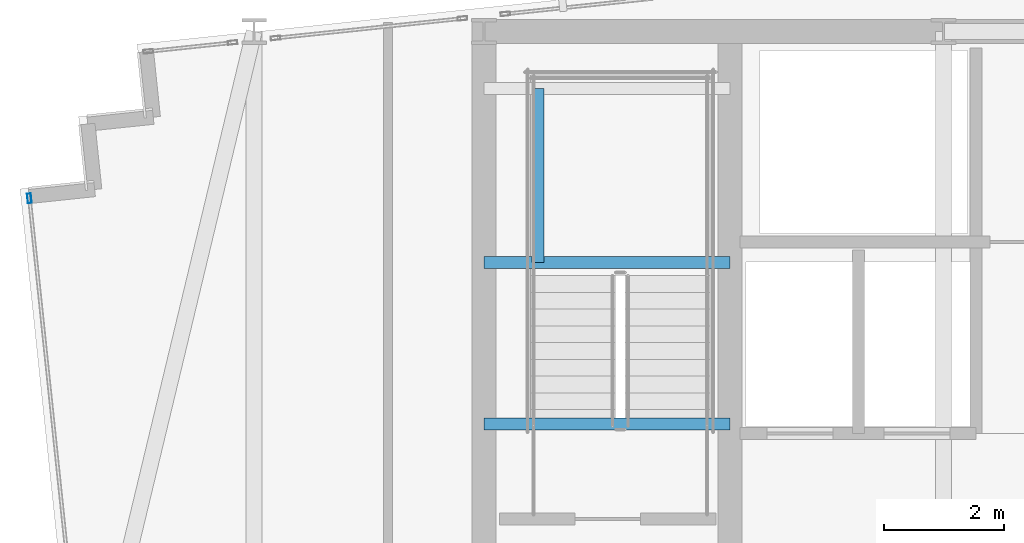
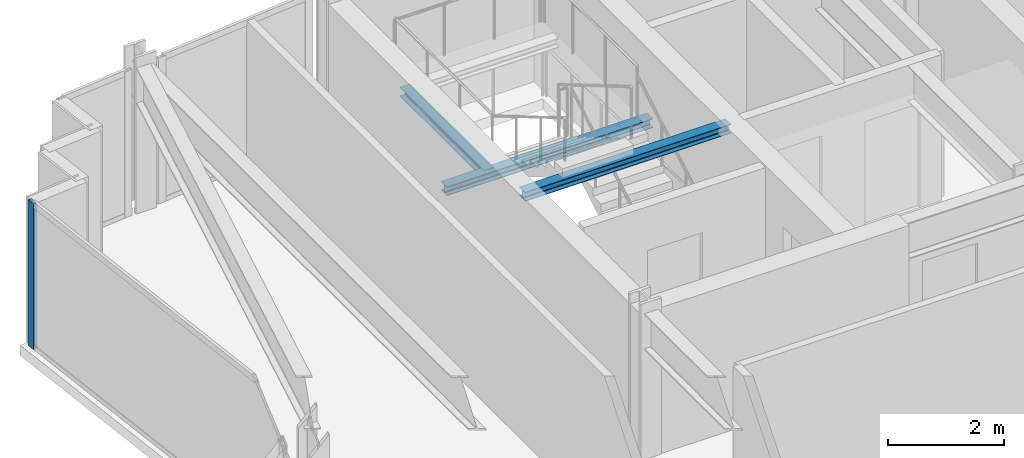
# One storey, part 12 of 33: 3 beams, 1 member, 1 element without a shape of its own.
"""IFC4 building model written with IfcOpenShell, lengths in metres."""

from ifc_helpers import new_model, si_unit, direction, frame, origin, origin_2d, place, context, subcontext, project, spatial, hollow_rectangle, i_section, extrude, material, material_profile, profile_set, type_object, element, aggregate, save


model = new_model("IFC4")

# Units and contexts
model_context = context("Model", 3, precision=1e-05, world=origin(), true_north=direction((0.0, 1.0)))
body_context = subcontext(model_context, "Body", "Model", "MODEL_VIEW")
ifc_project = project(units=[si_unit("LENGTHUNIT", "METRE"), si_unit("AREAUNIT", "SQUARE_METRE"), si_unit("VOLUMEUNIT", "CUBIC_METRE"), si_unit("PLANEANGLEUNIT", "RADIAN"), si_unit("MASSUNIT", "GRAM", prefix="KILO")], contexts=[model_context])

# Site, building, storey
site_placement = place(None, origin())
site = spatial("IfcSite", under=ifc_project, at=site_placement, CompositionType="ELEMENT")
building_placement = place(site_placement, origin())
building = spatial("IfcBuilding", under=site, at=building_placement, Name="Yelkora Congress Tower", CompositionType="ELEMENT")
storey_placement = place(building_placement, frame((0.0, 0.0, 221.0)))
storey = spatial("IfcBuildingStorey", under=building, at=storey_placement, Name="L61", CompositionType="ELEMENT", Elevation=221.0)

# Beams
ifc_material_1 = material(Name="Steel S355J2", Category="steel")
ifc_material_profile_1 = material_profile(ifc_material_1, i_section(OverallWidth=0.199951171875, OverallDepth=0.18994140625, WebThickness=0.006591796875, FlangeThickness=0.010009765625, FilletRadius=0.01806640625, at=origin_2d()), Name="HEA 200")
ifc_profile_set_1 = profile_set([ifc_material_profile_1], Name="Steel S355J2")
beam_type = type_object("IfcBeamType", Name="BM-LAND-HEA200", PredefinedType="BEAM", material=ifc_profile_set_1)
beam_1_placement = place(storey_placement, frame((23.0400390625, 42.340087890625, 1.334716796875), z_axis=(1.0, 0.0, 0.0), x_axis=(0.0, 1.0, 0.0)))
element("IfcBeam", 1, at=beam_1_placement, inside=storey, type_object=beam_type, Name="ST-01 L61 Landing Header Beam 1S", PredefinedType="BEAM", context=body_context, shape_type="SweptSolid", body=[
    extrude(i_section(OverallWidth=0.199951171875, OverallDepth=0.18994140625, WebThickness=0.006591796875, FlangeThickness=0.010009765625, FilletRadius=0.01806640625, at=origin_2d()), origin(), (0.0, 0.0, 1.0), 4.10986328125),
])
beam_2_placement = place(storey_placement, frame((23.93994140625, 42.340087890625, 1.334716796875), z_axis=(0.0, 1.0, 0.0), x_axis=(-1.0, 0.0, 0.0)))
element("IfcBeam", 2, at=beam_2_placement, inside=storey, type_object=beam_type, Name="ST-01 L61 Landing Trimmer Beam 1M", PredefinedType="BEAM", context=body_context, shape_type="SweptSolid", body=[
    extrude(i_section(OverallWidth=0.199951171875, OverallDepth=0.18994140625, WebThickness=0.006591796875, FlangeThickness=0.010009765625, FilletRadius=0.01806640625, at=origin_2d()), origin(), (0.0, 0.0, 1.0), 2.909912109375),
])
beam_3_placement = place(storey_placement, frame((23.0400390625, 39.639892578125, 2.85400390625), z_axis=(1.0, 0.0, 0.0), x_axis=(0.0, 1.0, 0.0)))
element("IfcBeam", 3, at=beam_3_placement, inside=storey, type_object=beam_type, Name="ST-01 L61 Floor Arrival Stringer Header Beam", PredefinedType="BEAM", context=body_context, shape_type="SweptSolid", body=[
    extrude(i_section(OverallWidth=0.199951171875, OverallDepth=0.18994140625, WebThickness=0.006591796875, FlangeThickness=0.010009765625, FilletRadius=0.01806640625, at=origin_2d()), origin(), (0.0, 0.0, 1.0), 4.10986328125),
])

# Curtain wall, member
ifc_material_2 = material(Name="Anodised aluminium and insulated glass", Category="aluminium")
curtain_wall_type = type_object("IfcCurtainWallType", Name="CW-SYS-B4", PredefinedType="NOTDEFINED", material=ifc_material_2)
curtain_wall_placement = place(storey_placement, origin())
curtain_wall = element("IfcCurtainWall", 4, at=curtain_wall_placement, inside=storey, type_object=curtain_wall_type, Name="L61 Unitised Curtain Wall 5", PredefinedType="NOTDEFINED")
ifc_material_3 = material(Name="Anodised aluminium 6063-T6", Category="aluminium")
ifc_material_profile_2 = material_profile(ifc_material_3, hollow_rectangle(XDim=0.06494140625, YDim=0.159912109375, WallThickness=0.00390625, at=origin_2d()), Name="ALU 65x160x4")
ifc_profile_set_2 = profile_set([ifc_material_profile_2], Name="Anodised aluminium 6063-T6")
member_type = type_object("IfcMemberType", Name="MEM-ML-B4", PredefinedType="MULLION", material=ifc_profile_set_2)
member_placement = place(storey_placement, frame((15.444580078125, 43.412353515625, 0.0), z_axis=(0.0, 0.0, 1.0), x_axis=(-0.994522145958, -0.104526079034, 0.0)))
member = element("IfcMember", 5, at=member_placement, type_object=member_type, Name="CW-B4 mullion 5", PredefinedType="MULLION", context=body_context, shape_type="SweptSolid", body=[
    extrude(hollow_rectangle(XDim=0.06494140625, YDim=0.159912109375, WallThickness=0.00390625, at=origin_2d()), origin(), (0.0, 0.0, 1.0), 3.080078125),
])
aggregate(curtain_wall, [member])

save(model, "model.ifc")
